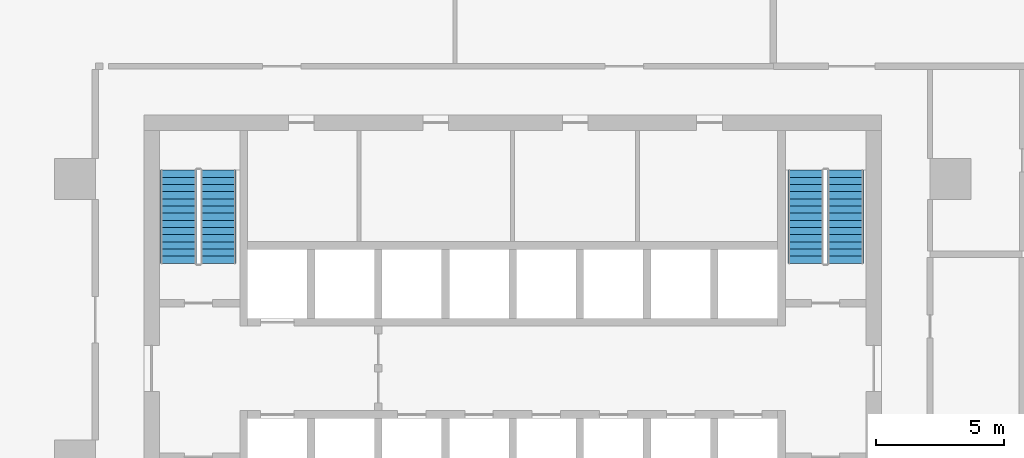
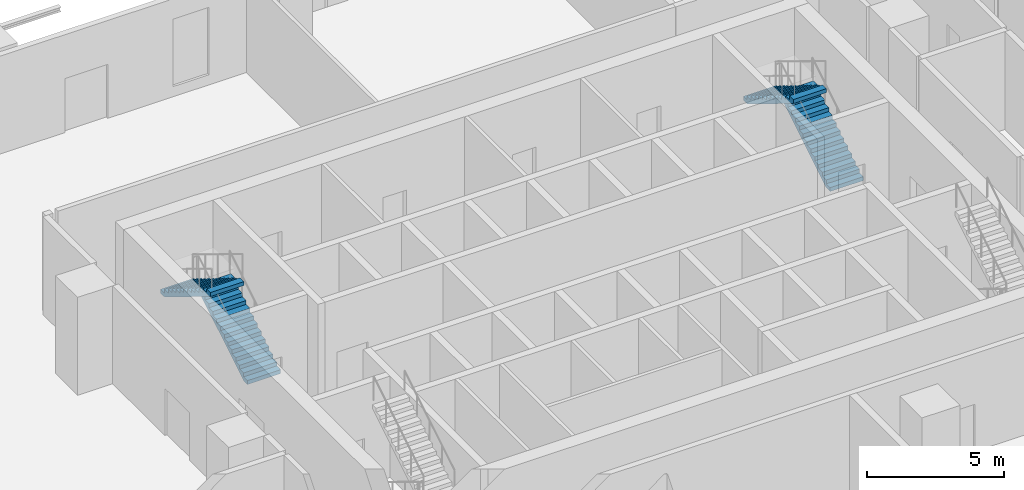
# One storey, part 11 of 15: 4 stair flights, 2 elements without a shape of their own.
"""IFC4 building model written with IfcOpenShell, lengths in metres."""

from ifc_helpers import new_model, si_unit, direction, frame, origin, place, context, subcontext, project, spatial, polyline, outline, extrude, material, type_object, element, aggregate, save


model = new_model("IFC4")

# Units and contexts
model_context = context("Model", 3, precision=1e-05, world=origin(), true_north=direction((0.0, 1.0)))
body_context = subcontext(model_context, "Body", "Model", "MODEL_VIEW")
ifc_project = project(units=[si_unit("LENGTHUNIT", "METRE"), si_unit("AREAUNIT", "SQUARE_METRE"), si_unit("VOLUMEUNIT", "CUBIC_METRE"), si_unit("PLANEANGLEUNIT", "RADIAN"), si_unit("MASSUNIT", "GRAM", prefix="KILO")], contexts=[model_context])

# Site, building, storey
site_placement = place(None, origin())
site = spatial("IfcSite", under=ifc_project, at=site_placement, CompositionType="ELEMENT")
building_placement = place(site_placement, origin())
building = spatial("IfcBuilding", under=site, at=building_placement, Name="Mopane Tessera Tower", CompositionType="ELEMENT")
storey_placement = place(building_placement, frame((0.0, 0.0, 69.39990234375)))
storey = spatial("IfcBuildingStorey", under=building, at=storey_placement, Name="L13", CompositionType="ELEMENT", Elevation=69.39990234375)

# Stair, stair flights
ifc_material_1 = material(Name="Concrete C50/60", Category="concrete")
stair_type = type_object("IfcStairType", Name="Escape stair 1400 mm, riser 171 mm", PredefinedType="HALF_TURN_STAIR", material=ifc_material_1)
stair_1_placement = place(storey_placement, origin())
stair_1 = element("IfcStair", 1, at=stair_1_placement, inside=storey, type_object=stair_type, Name="L13 Escape stair north-west", PredefinedType="HALF_TURN_STAIR")
ifc_material_2 = material(Name="Concrete C50/60", Category="concrete")
stair_flight_type = type_object("IfcStairFlightType", Name="Escape stair flight 1400 mm", PredefinedType="STRAIGHT", material=ifc_material_2)
stair_flight_1_placement = place(storey_placement, frame((-11.5, 7.699951171875, 0.0), z_axis=(0.0, 0.0, 1.0), x_axis=(0.0, 1.0, 0.0)))
stair_flight_1 = element("IfcStairFlight", 2, at=stair_flight_1_placement, type_object=stair_flight_type, Name="ST2 flight 1", NumberOfRisers=14, NumberOfTreads=13, PredefinedType="STRAIGHT", RiserHeight=0.171428571, TreadLength=0.28, context=body_context, shape_type="SweptSolid", body=[
    extrude(outline(polyline([(0.0, 0.0), (0.0, 0.17138671875), (0.280029296875, 0.17138671875), (0.280029296875, 0.3427734375), (0.56005859375, 0.3427734375), (0.56005859375, 0.514404296875), (0.840087890625, 0.514404296875), (0.840087890625, 0.685791015625), (1.1201171875, 0.685791015625), (1.1201171875, 0.857177734375), (1.39990234375, 0.857177734375), (1.39990234375, 1.028564453125), (1.679931640625, 1.028564453125), (1.679931640625, 1.199951171875), (1.9599609375, 1.199951171875), (1.9599609375, 1.371337890625), (2.239990234375, 1.371337890625), (2.239990234375, 1.54296875), (2.52001953125, 1.54296875), (2.52001953125, 1.71435546875), (2.800048828125, 1.71435546875), (2.800048828125, 1.8857421875), (3.080078125, 1.8857421875), (3.080078125, 2.05712890625), (3.360107421875, 2.05712890625), (3.360107421875, 2.228515625), (3.639892578125, 2.228515625), (3.639892578125, 2.39990234375), (3.639892578125, 2.052734375), (0.287109375, 0.0), (0.0, 0.0)])), frame((0.0, 0.699951171875, 0.0), z_axis=(0.0, -1.0, 0.0), x_axis=(1.0, 0.0, 0.0)), (0.0, 0.0, 1.0), 1.39990234375),
])
stair_flight_2_placement = place(storey_placement, frame((-13.050048828125, 11.340087890625, 2.400146484375), z_axis=(0.0, 0.0, 1.0), x_axis=(0.0, -1.0, 0.0)))
stair_flight_2 = element("IfcStairFlight", 3, at=stair_flight_2_placement, type_object=stair_flight_type, Name="ST2 flight 2", NumberOfRisers=14, NumberOfTreads=13, PredefinedType="STRAIGHT", RiserHeight=0.171428571, TreadLength=0.28, context=body_context, shape_type="SweptSolid", body=[
    extrude(outline(polyline([(0.0, 0.0), (0.0, 0.17138671875), (0.280029296875, 0.17138671875), (0.280029296875, 0.3427734375), (0.56005859375, 0.3427734375), (0.56005859375, 0.514404296875), (0.840087890625, 0.514404296875), (0.840087890625, 0.685791015625), (1.1201171875, 0.685791015625), (1.1201171875, 0.857177734375), (1.39990234375, 0.857177734375), (1.39990234375, 1.028564453125), (1.679931640625, 1.028564453125), (1.679931640625, 1.199951171875), (1.9599609375, 1.199951171875), (1.9599609375, 1.371337890625), (2.239990234375, 1.371337890625), (2.239990234375, 1.54296875), (2.52001953125, 1.54296875), (2.52001953125, 1.71435546875), (2.800048828125, 1.71435546875), (2.800048828125, 1.8857421875), (3.080078125, 1.8857421875), (3.080078125, 2.05712890625), (3.360107421875, 2.05712890625), (3.360107421875, 2.228515625), (3.639892578125, 2.228515625), (3.639892578125, 2.39990234375), (3.639892578125, 2.052734375), (0.287109375, 0.0), (0.0, 0.0)])), frame((0.0, 0.699951171875, 0.0), z_axis=(0.0, -1.0, 0.0), x_axis=(1.0, 0.0, 0.0)), (0.0, 0.0, 1.0), 1.39990234375),
])
aggregate(stair_1, [stair_flight_1, stair_flight_2])

stair_2_placement = place(storey_placement, origin())
stair_2 = element("IfcStair", 4, at=stair_2_placement, inside=storey, type_object=stair_type, Name="L13 Escape stair north-east", PredefinedType="HALF_TURN_STAIR")
stair_flight_3_placement = place(storey_placement, frame((13.0, 7.699951171875, 0.0), z_axis=(0.0, 0.0, 1.0), x_axis=(0.0, 1.0, 0.0)))
stair_flight_3 = element("IfcStairFlight", 5, at=stair_flight_3_placement, type_object=stair_flight_type, Name="ST4 flight 1", NumberOfRisers=14, NumberOfTreads=13, PredefinedType="STRAIGHT", RiserHeight=0.171428571, TreadLength=0.28, context=body_context, shape_type="SweptSolid", body=[
    extrude(outline(polyline([(0.0, 0.0), (0.0, 0.17138671875), (0.280029296875, 0.17138671875), (0.280029296875, 0.3427734375), (0.56005859375, 0.3427734375), (0.56005859375, 0.514404296875), (0.840087890625, 0.514404296875), (0.840087890625, 0.685791015625), (1.1201171875, 0.685791015625), (1.1201171875, 0.857177734375), (1.39990234375, 0.857177734375), (1.39990234375, 1.028564453125), (1.679931640625, 1.028564453125), (1.679931640625, 1.199951171875), (1.9599609375, 1.199951171875), (1.9599609375, 1.371337890625), (2.239990234375, 1.371337890625), (2.239990234375, 1.54296875), (2.52001953125, 1.54296875), (2.52001953125, 1.71435546875), (2.800048828125, 1.71435546875), (2.800048828125, 1.8857421875), (3.080078125, 1.8857421875), (3.080078125, 2.05712890625), (3.360107421875, 2.05712890625), (3.360107421875, 2.228515625), (3.639892578125, 2.228515625), (3.639892578125, 2.39990234375), (3.639892578125, 2.052734375), (0.287109375, 0.0), (0.0, 0.0)])), frame((0.0, 0.699951171875, 0.0), z_axis=(0.0, -1.0, 0.0), x_axis=(1.0, 0.0, 0.0)), (0.0, 0.0, 1.0), 1.39990234375),
])
stair_flight_4_placement = place(storey_placement, frame((11.449951171875, 11.340087890625, 2.400146484375), z_axis=(0.0, 0.0, 1.0), x_axis=(0.0, -1.0, 0.0)))
stair_flight_4 = element("IfcStairFlight", 6, at=stair_flight_4_placement, type_object=stair_flight_type, Name="ST4 flight 2", NumberOfRisers=14, NumberOfTreads=13, PredefinedType="STRAIGHT", RiserHeight=0.171428571, TreadLength=0.28, context=body_context, shape_type="SweptSolid", body=[
    extrude(outline(polyline([(0.0, 0.0), (0.0, 0.17138671875), (0.280029296875, 0.17138671875), (0.280029296875, 0.3427734375), (0.56005859375, 0.3427734375), (0.56005859375, 0.514404296875), (0.840087890625, 0.514404296875), (0.840087890625, 0.685791015625), (1.1201171875, 0.685791015625), (1.1201171875, 0.857177734375), (1.39990234375, 0.857177734375), (1.39990234375, 1.028564453125), (1.679931640625, 1.028564453125), (1.679931640625, 1.199951171875), (1.9599609375, 1.199951171875), (1.9599609375, 1.371337890625), (2.239990234375, 1.371337890625), (2.239990234375, 1.54296875), (2.52001953125, 1.54296875), (2.52001953125, 1.71435546875), (2.800048828125, 1.71435546875), (2.800048828125, 1.8857421875), (3.080078125, 1.8857421875), (3.080078125, 2.05712890625), (3.360107421875, 2.05712890625), (3.360107421875, 2.228515625), (3.639892578125, 2.228515625), (3.639892578125, 2.39990234375), (3.639892578125, 2.052734375), (0.287109375, 0.0), (0.0, 0.0)])), frame((0.0, 0.699951171875, 0.0), z_axis=(0.0, -1.0, 0.0), x_axis=(1.0, 0.0, 0.0)), (0.0, 0.0, 1.0), 1.39990234375),
])
aggregate(stair_2, [stair_flight_3, stair_flight_4])

save(model, "model.ifc")
